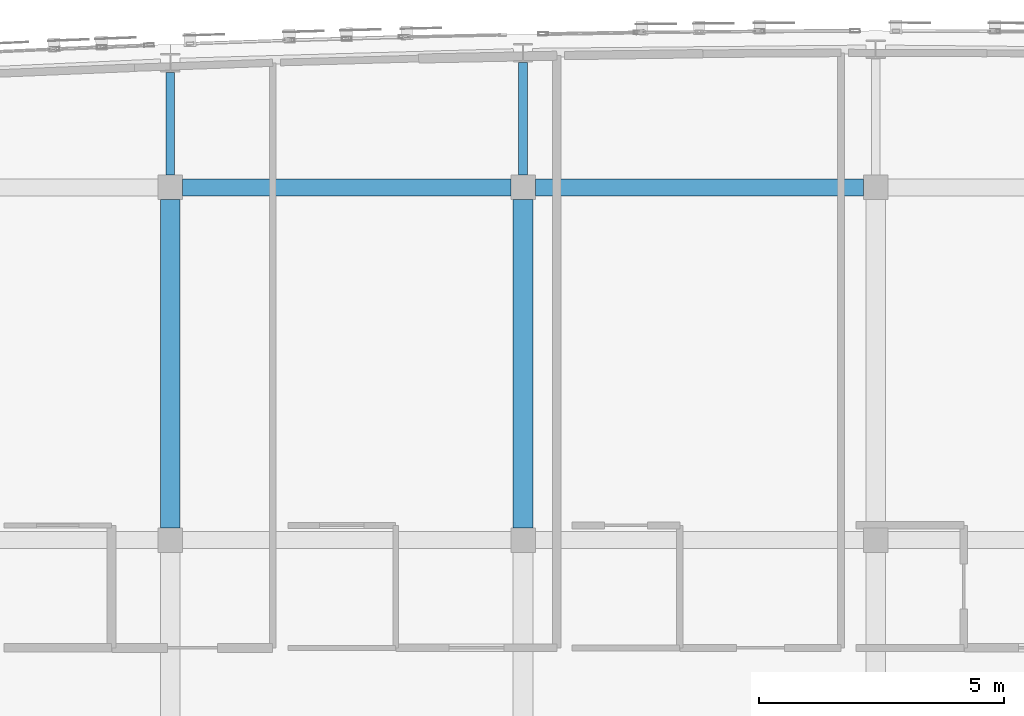
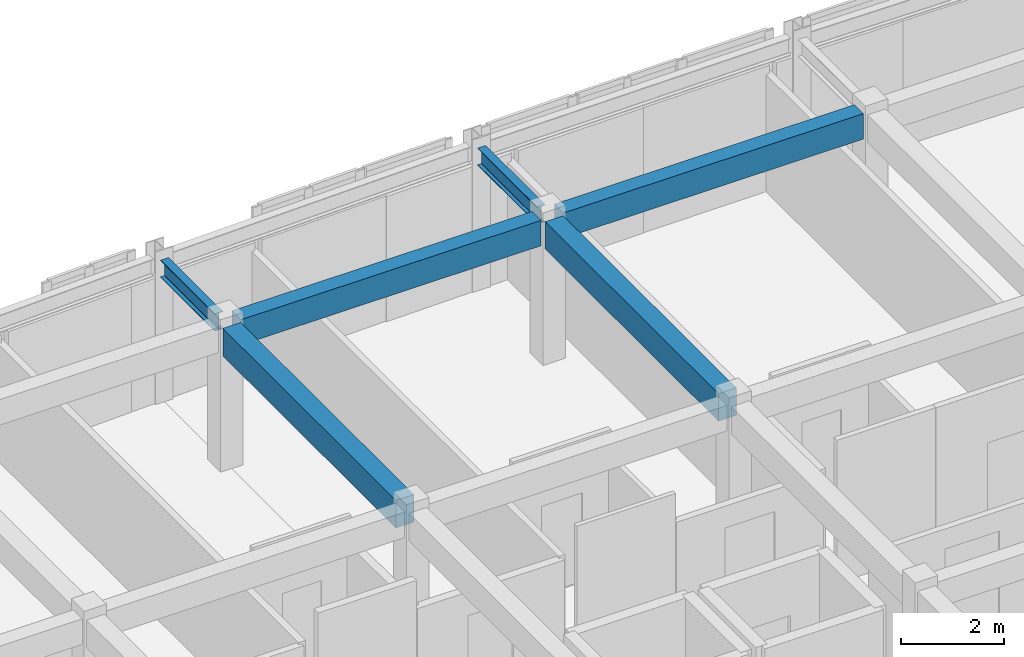
# One storey, part 13 of 34: 6 beams.
"""IFC4 building model written with IfcOpenShell, lengths in metres."""

from ifc_helpers import new_model, si_unit, direction, frame, origin, origin_2d, place, context, subcontext, project, spatial, rectangle, i_section, extrude, material, material_profile, profile_set, type_object, element, save


model = new_model("IFC4")

# Units and contexts
model_context = context("Model", 3, precision=1e-05, world=origin(), true_north=direction((0.0, 1.0)))
body_context = subcontext(model_context, "Body", "Model", "MODEL_VIEW")
ifc_project = project(units=[si_unit("LENGTHUNIT", "METRE"), si_unit("AREAUNIT", "SQUARE_METRE"), si_unit("VOLUMEUNIT", "CUBIC_METRE"), si_unit("PLANEANGLEUNIT", "RADIAN"), si_unit("MASSUNIT", "GRAM", prefix="KILO")], contexts=[model_context])

# Site, building, storey
site_placement = place(None, origin())
site = spatial("IfcSite", under=ifc_project, at=site_placement, CompositionType="ELEMENT")
building_placement = place(site_placement, origin())
building = spatial("IfcBuilding", under=site, at=building_placement, Name="Carrowvane Square Congress Hotel", CompositionType="ELEMENT")
storey_placement = place(building_placement, frame((0.0, 0.0, 40.800048828125)))
storey = spatial("IfcBuildingStorey", under=building, at=storey_placement, Name="L10", CompositionType="ELEMENT", Elevation=40.800048828125)

# Beams
ifc_material_1 = material(Name="Concrete C35/45", Category="concrete")
ifc_material_profile_1 = material_profile(ifc_material_1, rectangle(XDim=0.35009765625, YDim=0.60009765625, at=origin_2d()), Name="RC 350x600")
ifc_profile_set_1 = profile_set([ifc_material_profile_1], Name="Concrete C35/45")
beam_type_1 = type_object("IfcBeamType", Name="BM-RC-350x600", PredefinedType="BEAM", material=ifc_profile_set_1)
for number, where, z_axis, x_axis, name in (
    (1, (83.85009765625, 113.39990234375, 3.079833984375), (1.0, 0.0, 0.0), (0.0, 1.0, 0.0), "L11 girder R/11-12"),
    (2, (91.050048828125, 113.39990234375, 3.079833984375), (1.0, 0.0, 0.0), (0.0, 1.0, 0.0), "L11 girder R/12-13"),
):
    element("IfcBeam", number, at=place(storey_placement, frame(where, z_axis=z_axis, x_axis=x_axis)), inside=storey, type_object=beam_type_1, Name=name, PredefinedType="BEAM", context=body_context, shape_type="SweptSolid", body=[
        extrude(rectangle(XDim=0.35009765625, YDim=0.60009765625, at=origin_2d()), origin(), (0.0, 0.0, 1.0), 6.699951171875),
    ])
ifc_material_2 = material(Name="Concrete C35/45", Category="concrete")
ifc_material_profile_2 = material_profile(ifc_material_2, rectangle(XDim=0.39990234375, YDim=0.64990234375, at=origin_2d()), Name="RC 400x650")
ifc_profile_set_2 = profile_set([ifc_material_profile_2], Name="Concrete C35/45")
beam_type_2 = type_object("IfcBeamType", Name="BM-RC-400x650", PredefinedType="BEAM", material=ifc_profile_set_2)
for number, where, z_axis, x_axis, name in (
    (3, (83.60009765625, 106.449951171875, 3.054931640625), (0.0, 1.0, 0.0), (-1.0, 0.0, 0.0), "L11 girder 11/Q-R"),
    (4, (90.800048828125, 106.449951171875, 3.054931640625), (0.0, 1.0, 0.0), (-1.0, 0.0, 0.0), "L11 girder 12/Q-R"),
):
    element("IfcBeam", number, at=place(storey_placement, frame(where, z_axis=z_axis, x_axis=x_axis)), inside=storey, type_object=beam_type_2, Name=name, PredefinedType="BEAM", context=body_context, shape_type="SweptSolid", body=[
        extrude(rectangle(XDim=0.39990234375, YDim=0.64990234375, at=origin_2d()), origin(), (0.0, 0.0, 1.0), 6.699951171875),
    ])
ifc_material_3 = material(Name="Steel S355", Category="steel")
ifc_material_profile_3 = material_profile(ifc_material_3, i_section(OverallWidth=0.1787109375, OverallDepth=0.409423828125, WebThickness=0.0087890625, FlangeThickness=0.014404296875, FilletRadius=0.01025390625, at=origin_2d()), Name="UKB 406x178x67")
ifc_profile_set_3 = profile_set([ifc_material_profile_3], Name="Steel S355")
beam_type_3 = type_object("IfcBeamType", Name="BM-ST-UKB406", PredefinedType="BEAM", material=ifc_profile_set_3)
beam_1_placement = place(storey_placement, frame((83.60009765625, 113.64990234375, 3.17529296875), z_axis=(0.0, 1.0, 0.0), x_axis=(-1.0, 0.0, 0.0)))
element("IfcBeam", 5, at=beam_1_placement, inside=storey, type_object=beam_type_3, Name="L11 radial north beam 11", PredefinedType="BEAM", context=body_context, shape_type="SweptSolid", body=[
    extrude(i_section(OverallWidth=0.1787109375, OverallDepth=0.409423828125, WebThickness=0.0087890625, FlangeThickness=0.014404296875, FilletRadius=0.01025390625, at=origin_2d()), origin(), (0.0, 0.0, 1.0), 2.0966796875),
])
beam_2_placement = place(storey_placement, frame((90.800048828125, 113.64990234375, 3.17529296875), z_axis=(0.0, 1.0, 0.0), x_axis=(-1.0, 0.0, 0.0)))
element("IfcBeam", 6, at=beam_2_placement, inside=storey, type_object=beam_type_3, Name="L11 radial north beam 12", PredefinedType="BEAM", context=body_context, shape_type="SweptSolid", body=[
    extrude(i_section(OverallWidth=0.1787109375, OverallDepth=0.409423828125, WebThickness=0.0087890625, FlangeThickness=0.014404296875, FilletRadius=0.01025390625, at=origin_2d()), origin(), (0.0, 0.0, 1.0), 2.302490234375),
])

save(model, "model.ifc")
